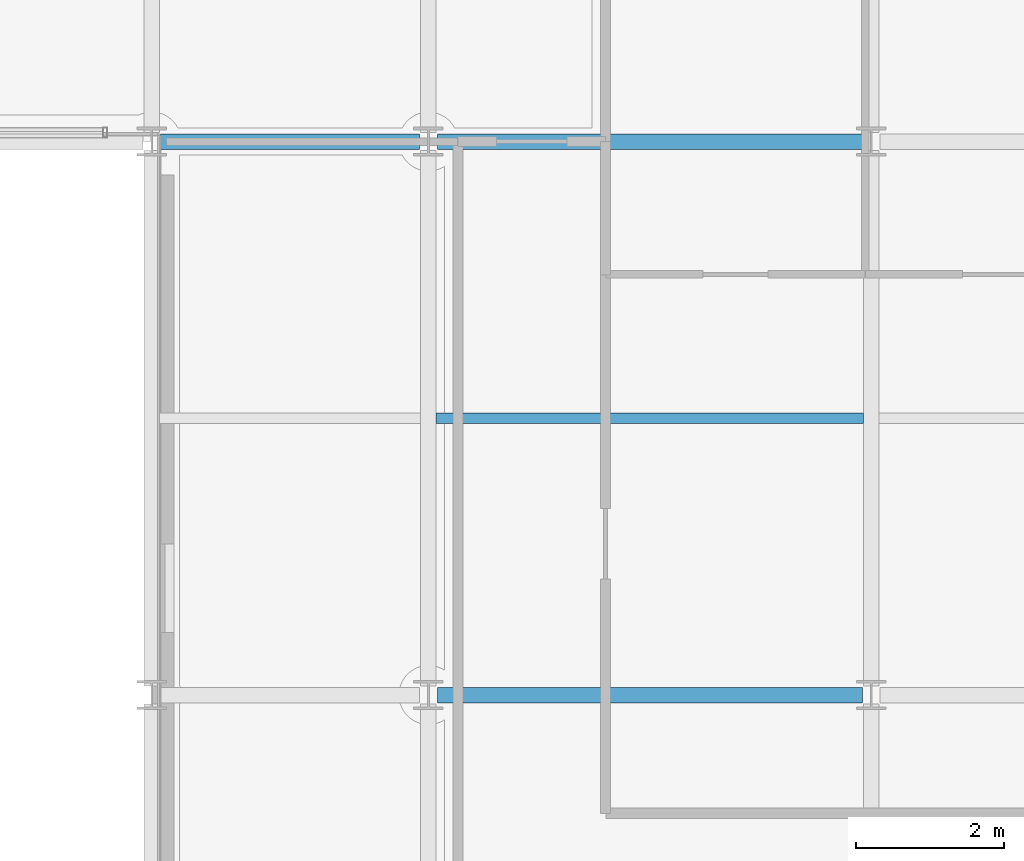
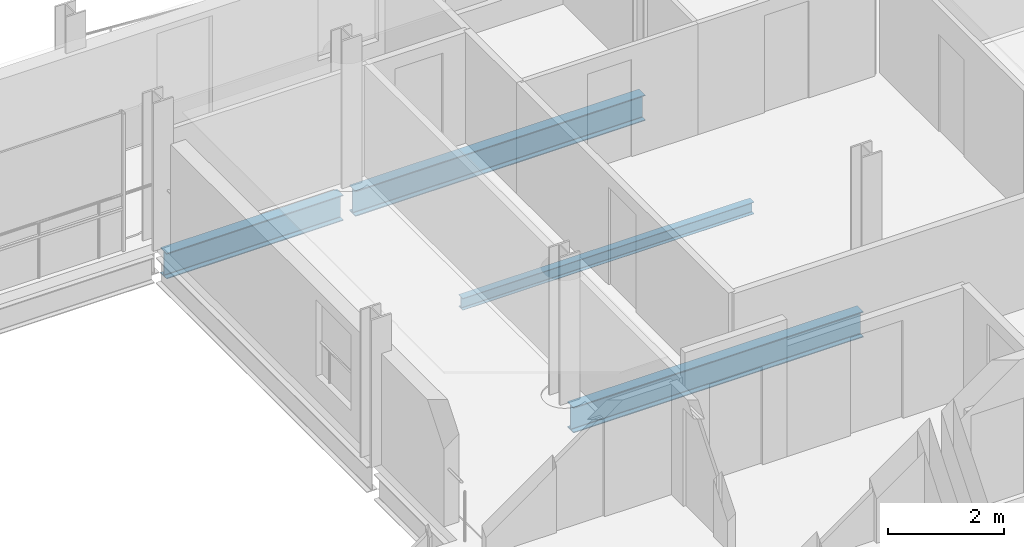
# One storey, part 19 of 38: 4 beams.
"""IFC4 building model written with IfcOpenShell, lengths in metres."""

from ifc_helpers import new_model, si_unit, direction, frame, origin, origin_2d, place, context, subcontext, project, spatial, i_section, extrude, material, material_profile, profile_set, type_object, element, save


model = new_model("IFC4")

# Units and contexts
model_context = context("Model", 3, precision=1e-05, world=origin(), true_north=direction((0.0, 1.0)))
body_context = subcontext(model_context, "Body", "Model", "MODEL_VIEW")
ifc_project = project(units=[si_unit("LENGTHUNIT", "METRE"), si_unit("AREAUNIT", "SQUARE_METRE"), si_unit("VOLUMEUNIT", "CUBIC_METRE"), si_unit("PLANEANGLEUNIT", "RADIAN"), si_unit("MASSUNIT", "GRAM", prefix="KILO")], contexts=[model_context])

# Site, building, storey
site_placement = place(None, origin())
site = spatial("IfcSite", under=ifc_project, at=site_placement, CompositionType="ELEMENT")
building_placement = place(site_placement, origin())
building = spatial("IfcBuilding", under=site, at=building_placement, Name="Brevholm Reach", CompositionType="ELEMENT")
storey_placement = place(building_placement, frame((0.0, 0.0, 186.300048828125)))
storey = spatial("IfcBuildingStorey", under=building, at=storey_placement, Name="L56", CompositionType="ELEMENT", Elevation=186.300048828125)

# Beams
ifc_material_1 = material(Name="Structural Steel S355J2", Category="steel")
ifc_material_profile_1 = material_profile(ifc_material_1, i_section(OverallWidth=0.14599609375, OverallDepth=0.25146484375, WebThickness=0.006103515625, FlangeThickness=0.008544921875, FilletRadius=0.007568359375, at=origin_2d()), Name="UKB 254x146x31")
ifc_profile_set_1 = profile_set([ifc_material_profile_1], Name="Structural Steel S355J2")
beam_type_1 = type_object("IfcBeamType", Name="BM-B254", PredefinedType="BEAM", material=ifc_profile_set_1)
beam_1_placement = place(storey_placement, frame((42.10546875, 19.75, -0.335693359375), z_axis=(1.0, 0.0, 0.0), x_axis=(0.0, 1.0, 0.0)))
element("IfcBeam", 1, at=beam_1_placement, inside=storey, type_object=beam_type_1, Name="L56 Composite Secondary Floor Beam", PredefinedType="BEAM", context=body_context, shape_type="SweptSolid", body=[
    extrude(i_section(OverallWidth=0.14599609375, OverallDepth=0.25146484375, WebThickness=0.006103515625, FlangeThickness=0.008544921875, FilletRadius=0.007568359375, at=origin_2d()), origin(), (0.0, 0.0, 1.0), 5.7890625),
])
ifc_material_2 = material(Name="Structural Steel S355J2", Category="steel")
ifc_material_profile_2 = material_profile(ifc_material_2, i_section(OverallWidth=0.210693359375, OverallDepth=0.53955078125, WebThickness=0.01171875, FlangeThickness=0.018798828125, FilletRadius=0.0126953125, at=origin_2d()), Name="UKB 533x210x109")
ifc_profile_set_2 = profile_set([ifc_material_profile_2], Name="Structural Steel S355J2")
beam_type_2 = type_object("IfcBeamType", Name="BM-SP539", PredefinedType="SPANDREL", material=ifc_profile_set_2)
beam_2_placement = place(storey_placement, frame((42.1201171875, 16.0, -0.479736328125), z_axis=(1.0, 0.0, 0.0), x_axis=(0.0, 1.0, 0.0)))
element("IfcBeam", 2, at=beam_2_placement, inside=storey, type_object=beam_type_2, Name="L56 SP-01B Framing Beam", PredefinedType="SPANDREL", context=body_context, shape_type="SweptSolid", body=[
    extrude(i_section(OverallWidth=0.210693359375, OverallDepth=0.53955078125, WebThickness=0.01171875, FlangeThickness=0.018798828125, FilletRadius=0.0126953125, at=origin_2d()), origin(), (0.0, 0.0, 1.0), 5.759765625),
])
beam_3_placement = place(storey_placement, frame((38.3701171875, 23.5, -0.479736328125), z_axis=(1.0, 0.0, 0.0), x_axis=(0.0, 1.0, 0.0)))
element("IfcBeam", 3, at=beam_3_placement, inside=storey, type_object=beam_type_2, Name="L56 SP-01B Framing Beam", PredefinedType="SPANDREL", context=body_context, shape_type="SweptSolid", body=[
    extrude(i_section(OverallWidth=0.210693359375, OverallDepth=0.53955078125, WebThickness=0.01171875, FlangeThickness=0.018798828125, FilletRadius=0.0126953125, at=origin_2d()), origin(), (0.0, 0.0, 1.0), 3.509765625),
])
beam_4_placement = place(storey_placement, frame((42.1201171875, 23.5, -0.479736328125), z_axis=(1.0, 0.0, 0.0), x_axis=(0.0, 1.0, 0.0)))
element("IfcBeam", 4, at=beam_4_placement, inside=storey, type_object=beam_type_2, Name="L56 SP-01B Framing Beam", PredefinedType="SPANDREL", context=body_context, shape_type="SweptSolid", body=[
    extrude(i_section(OverallWidth=0.210693359375, OverallDepth=0.53955078125, WebThickness=0.01171875, FlangeThickness=0.018798828125, FilletRadius=0.0126953125, at=origin_2d()), origin(), (0.0, 0.0, 1.0), 5.759765625),
])

save(model, "model.ifc")
